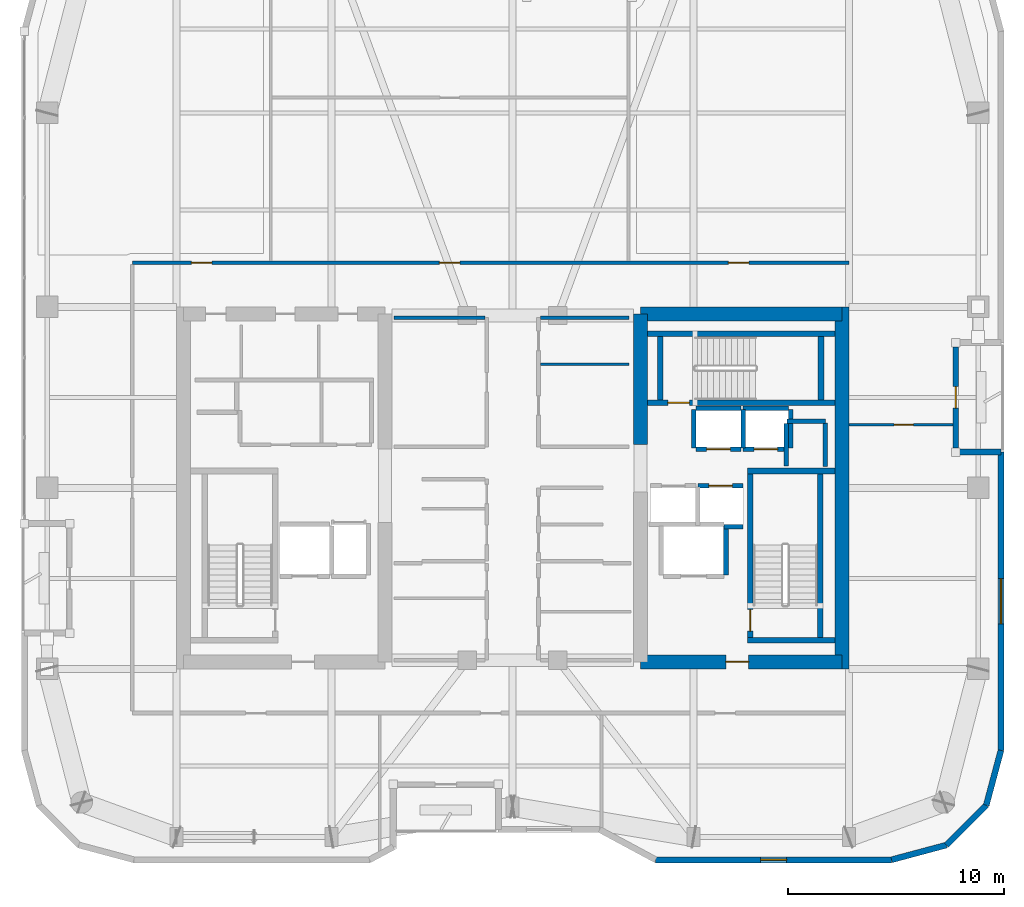
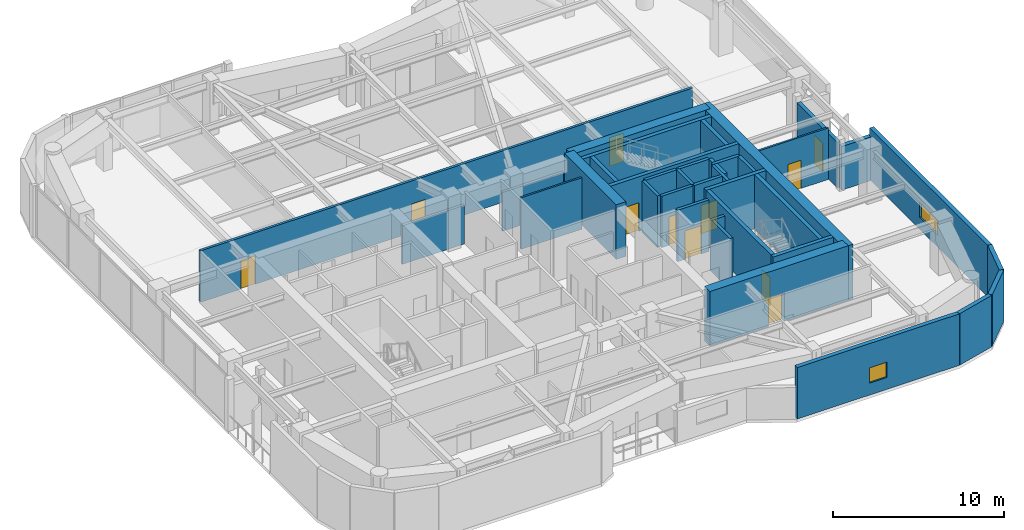
# One storey, part 17 of 21: 37 walls, 11 doors, 2 windows, 13 openings.
"""IFC4 building model written with IfcOpenShell, lengths in metres."""

from ifc_helpers import new_model, si_unit, direction, frame, frame_2d, origin, place, context, subcontext, project, spatial, rectangle, extrude, material, layer, layer_set, type_object, element, fill, save


model = new_model("IFC4")

# Units and contexts
model_context = context("Model", 3, precision=1e-05, world=origin(), true_north=direction((0.0, 1.0)))
body_context = subcontext(model_context, "Body", "Model", "MODEL_VIEW")
ifc_project = project(units=[si_unit("LENGTHUNIT", "METRE"), si_unit("AREAUNIT", "SQUARE_METRE"), si_unit("VOLUMEUNIT", "CUBIC_METRE"), si_unit("PLANEANGLEUNIT", "RADIAN"), si_unit("MASSUNIT", "GRAM", prefix="KILO")], contexts=[model_context])

# Site, building, storey
site_placement = place(None, origin())
site = spatial("IfcSite", under=ifc_project, at=site_placement, CompositionType="ELEMENT")
building_placement = place(site_placement, origin())
building = spatial("IfcBuilding", under=site, at=building_placement, Name="Kiyonajd Concourse Tower", CompositionType="ELEMENT")
storey_placement = place(building_placement, frame((0.0, 0.0, 234.89990234375)))
storey = spatial("IfcBuildingStorey", under=building, at=storey_placement, Name="L59", CompositionType="ELEMENT", Elevation=234.89990234375)

# Walls
ifc_material_1 = material(Name="Concrete C60/75", Category="concrete")
ifc_layer_1 = layer(ifc_material_1, 0.64990234375)
ifc_layer_set_1 = layer_set([ifc_layer_1], Name="Concrete C60/75")
wall_type_1 = type_object("IfcWallType", Name="WL-CORE-650", PredefinedType="SHEAR", material=ifc_layer_set_1)
wall_1_placement = place(storey_placement, frame((53.925048828125, 38.0, 0.0), z_axis=(0.0, 0.0, 1.0), x_axis=(0.0, 1.0, 0.0)))
element("IfcWall", 1, at=wall_1_placement, inside=storey, type_object=wall_type_1, Name="L59 East Core Inner North Shear Wall", PredefinedType="SHEAR", context=body_context, shape_type="SweptSolid", body=[
    extrude(rectangle(XDim=6.074951171875, YDim=0.64990234375, at=frame_2d((3.03759765625, 0.0))), origin(), (0.0, 0.0, 1.0), 3.900146484375),
])
wall_2_placement = place(storey_placement, frame((63.27490234375, 27.60009765625, 0.0), z_axis=(0.0, 0.0, 1.0), x_axis=(0.0, 1.0, 0.0)))
element("IfcWall", 2, at=wall_2_placement, inside=storey, type_object=wall_type_1, Name="L59 East Core Outer Shear Wall", PredefinedType="SHEAR", context=body_context, shape_type="SweptSolid", body=[
    extrude(rectangle(XDim=16.7998046875, YDim=0.64990234375, at=frame_2d((8.39990234375, 0.0))), origin(), (0.0, 0.0, 1.0), 3.900146484375),
])

# Wall, opening, door
wall_3_placement = place(storey_placement, frame((53.925048828125, 27.925048828125, 0.0), z_axis=(0.0, 0.0, 1.0), x_axis=(1.0, 0.0, 0.0)))
wall_3 = element("IfcWall", 3, at=wall_3_placement, inside=storey, type_object=wall_type_1, Name="L59 East Core South Shear Wall", PredefinedType="SHEAR", context=body_context, shape_type="SweptSolid", body=[
    extrude(rectangle(XDim=9.349853515625, YDim=0.64990234375, at=frame_2d((4.6748046875, 0.0))), origin(), (0.0, 0.0, 1.0), 3.900146484375),
])
opening_1_placement = place(wall_3_placement, frame((3.97509765625, 0.0, 0.0)))
opening_1 = element("IfcOpeningElement", 4, at=opening_1_placement, cuts=wall_3, Name="Opening DF5", PredefinedType="OPENING", context=body_context, shape_type="SweptSolid", body=[
    extrude(rectangle(XDim=1.050048828125, YDim=2.0400390625, at=frame_2d((0.52490234375, 1.02001953125))), frame((0.0, 0.3349609375, 0.0), z_axis=(0.0, -1.0, 0.0), x_axis=(1.0, 0.0, 0.0)), (0.0, 0.0, 1.0), 0.669921875),
])
ifc_material_2 = material(Name="Brushed Stainless Steel Cab Assembly", Category="steel")
door_type_1 = type_object("IfcDoorType", Name="DR-FD45-1050", OperationType="NOTDEFINED", PredefinedType="DOOR", material=ifc_material_2)
door_1_placement = place(opening_1_placement, origin())
door_1 = element("IfcDoor", 5, at=door_1_placement, inside=storey, type_object=door_type_1, Name="L59 Firefighting Lift Lobby E Smoke Door", OperationType="SINGLE_SWING_RIGHT", OverallHeight=2.0400390625, OverallWidth=1.050048828125, PredefinedType="DOOR", context=body_context, shape_type="SweptSolid", body=[
    extrude(rectangle(XDim=1.050048828125, YDim=2.0400390625, at=frame_2d((0.52490234375, 1.02001953125))), frame((0.0, 0.02490234375, 0.0), z_axis=(0.0, -1.0, 0.0), x_axis=(1.0, 0.0, 0.0)), (0.0, 0.0, 1.0), 0.050048828125),
])
fill(opening_1, door_1)

# Walls
wall_4_placement = place(storey_placement, frame((53.925048828125, 44.074951171875, 0.0), z_axis=(0.0, 0.0, 1.0), x_axis=(1.0, 0.0, 0.0)))
element("IfcWall", 6, at=wall_4_placement, inside=storey, type_object=wall_type_1, Name="L59 East Core North Shear Wall", PredefinedType="SHEAR", context=body_context, shape_type="SweptSolid", body=[
    extrude(rectangle(XDim=9.349853515625, YDim=0.64990234375, at=frame_2d((4.6748046875, 0.0))), origin(), (0.0, 0.0, 1.0), 3.900146484375),
])
ifc_material_3 = material(Name="Precast concrete C50/60", Category="concrete")
ifc_layer_2 = layer(ifc_material_3, 0.280029296875)
ifc_layer_set_2 = layer_set([ifc_layer_2], Name="Precast concrete C50/60")
wall_type_2 = type_object("IfcWallType", Name="WL-EXT-280", PredefinedType="SOLIDWALL", material=ifc_layer_set_2)
wall_5_placement = place(storey_placement, frame((68.56005859375, 37.659912109375, 0.0), z_axis=(0.0, 0.0, 1.0), x_axis=(1.0, 0.0, 0.0)))
element("IfcWall", 7, at=wall_5_placement, inside=storey, type_object=wall_type_2, Name="L59 Exterior Concrete Frame Wall 23", PredefinedType="SOLIDWALL", context=body_context, shape_type="SweptSolid", body=[
    extrude(rectangle(XDim=2.099853515625, YDim=0.280029296875, at=frame_2d((1.0498046875, 0.0))), origin(), (0.0, 0.0, 1.0), 3.1162109375),
])

# Wall, opening, window
wall_6_placement = place(storey_placement, frame((70.659912109375, 37.659912109375, 0.0), z_axis=(0.0, 0.0, 1.0), x_axis=(0.0, -1.0, 0.0)))
wall_6 = element("IfcWall", 8, at=wall_6_placement, inside=storey, type_object=wall_type_2, Name="L59 Exterior Concrete Frame Wall 24", PredefinedType="SOLIDWALL", context=body_context, shape_type="SweptSolid", body=[
    extrude(rectangle(XDim=13.841552734375, YDim=0.280029296875, at=frame_2d((6.9208984375, 0.0))), origin(), (0.0, 0.0, 1.0), 3.68017578125),
])
opening_2_placement = place(wall_6_placement, frame((5.87109375, 0.0, 0.85009765625)))
opening_2 = element("IfcOpeningElement", 9, at=opening_2_placement, cuts=wall_6, Name="Opening WN5", PredefinedType="OPENING", context=body_context, shape_type="SweptSolid", body=[
    extrude(rectangle(XDim=2.10009765625, YDim=1.050048828125, at=frame_2d((1.050048828125, 0.52490234375))), frame((0.0, 0.14990234375, 0.0), z_axis=(0.0, -1.0, 0.0), x_axis=(1.0, 0.0, 0.0)), (0.0, 0.0, 1.0), 0.300048828125),
])
ifc_material_4 = material(Name="Double Low-E Insulated Glass", Category="glass")
window_type_1 = type_object("IfcWindowType", Name="WN-VIS-2100x1050", PartitioningType="SINGLE_PANEL", PredefinedType="WINDOW", material=ifc_material_4)
window_1_placement = place(opening_2_placement, origin())
window_1 = element("IfcWindow", 10, at=window_1_placement, inside=storey, type_object=window_type_1, Name="L59 Modular Facade Vision Window 24", OverallHeight=1.050048828125, OverallWidth=2.10009765625, PartitioningType="SINGLE_PANEL", PredefinedType="WINDOW", context=body_context, shape_type="SweptSolid", body=[
    extrude(rectangle(XDim=2.10009765625, YDim=1.050048828125, at=frame_2d((1.050048828125, 0.52490234375))), frame((0.0, 0.030029296875, 0.0), z_axis=(0.0, -1.0, 0.0), x_axis=(1.0, 0.0, 0.0)), (0.0, 0.0, 1.0), 0.06005859375),
])
fill(opening_2, window_1)

# Walls
wall_7_placement = place(storey_placement, frame((70.659912109375, 23.818359375, 0.0), z_axis=(0.0, 0.0, 1.0), x_axis=(-0.2588904131, -0.965906700466, 0.0)))
element("IfcWall", 11, at=wall_7_placement, inside=storey, type_object=wall_type_2, Name="L59 Exterior Concrete Frame Wall 25", PredefinedType="SOLIDWALL", context=body_context, shape_type="SweptSolid", body=[
    extrude(rectangle(XDim=2.6357421875, YDim=0.280029296875, at=frame_2d((1.31787109375, 0.0))), origin(), (0.0, 0.0, 1.0), 3.68017578125),
])
wall_8_placement = place(storey_placement, frame((69.9775390625, 21.2724609375, 0.0), z_axis=(0.0, 0.0, 1.0), x_axis=(-0.707153437963, -0.707060121331, 0.0)))
element("IfcWall", 12, at=wall_8_placement, inside=storey, type_object=wall_type_2, Name="L59 Exterior Concrete Frame Wall 26", PredefinedType="SOLIDWALL", context=body_context, shape_type="SweptSolid", body=[
    extrude(rectangle(XDim=2.6162109375, YDim=0.280029296875, at=frame_2d((1.30810546875, 0.0))), origin(), (0.0, 0.0, 1.0), 3.68017578125),
])
wall_9_placement = place(storey_placement, frame((68.12744140625, 19.422607421875, 0.0), z_axis=(0.0, 0.0, 1.0), x_axis=(-0.965883534663, -0.258976828051, 0.0)))
element("IfcWall", 13, at=wall_9_placement, inside=storey, type_object=wall_type_2, Name="L59 Exterior Concrete Frame Wall 27", PredefinedType="SOLIDWALL", context=body_context, shape_type="SweptSolid", body=[
    extrude(rectangle(XDim=2.6357421875, YDim=0.280029296875, at=frame_2d((1.31787109375, 0.0))), origin(), (0.0, 0.0, 1.0), 3.68017578125),
])

# Wall, opening, window
wall_10_placement = place(storey_placement, frame((65.58154296875, 18.739990234375, 0.0), z_axis=(0.0, 0.0, 1.0), x_axis=(-1.0, 0.0, 0.0)))
wall_10 = element("IfcWall", 14, at=wall_10_placement, inside=storey, type_object=wall_type_2, Name="L59 Exterior Concrete Frame Wall 28", PredefinedType="SOLIDWALL", context=body_context, shape_type="SweptSolid", body=[
    extrude(rectangle(XDim=10.9462890625, YDim=0.280029296875, at=frame_2d((5.47314453125, 0.0))), origin(), (0.0, 0.0, 1.0), 3.68017578125),
])
opening_3_placement = place(wall_10_placement, frame((4.873046875, 0.0, 0.85009765625)))
opening_3 = element("IfcOpeningElement", 15, at=opening_3_placement, cuts=wall_10, Name="Opening WN3", PredefinedType="OPENING", context=body_context, shape_type="SweptSolid", body=[
    extrude(rectangle(XDim=1.199951171875, YDim=1.10009765625, at=frame_2d((0.60009765625, 0.550048828125))), frame((0.0, 0.14990234375, 0.0), z_axis=(0.0, -1.0, 0.0), x_axis=(1.0, 0.0, 0.0)), (0.0, 0.0, 1.0), 0.300048828125),
])
window_type_2 = type_object("IfcWindowType", Name="WN-VIS-1200x1100", PartitioningType="SINGLE_PANEL", PredefinedType="WINDOW", material=ifc_material_4)
window_2_placement = place(opening_3_placement, origin())
window_2 = element("IfcWindow", 16, at=window_2_placement, inside=storey, type_object=window_type_2, Name="L59 Modular Facade Vision Window 28", OverallHeight=1.10009765625, OverallWidth=1.199951171875, PartitioningType="SINGLE_PANEL", PredefinedType="WINDOW", context=body_context, shape_type="SweptSolid", body=[
    extrude(rectangle(XDim=1.199951171875, YDim=1.10009765625, at=frame_2d((0.60009765625, 0.550048828125))), frame((0.0, 0.030029296875, 0.0), z_axis=(0.0, -1.0, 0.0), x_axis=(1.0, 0.0, 0.0)), (0.0, 0.0, 1.0), 0.06005859375),
])
fill(opening_3, window_2)

# Wall, opening, door
ifc_layer_3 = layer(ifc_material_3, 0.239990234375)
ifc_layer_set_3 = layer_set([ifc_layer_3], Name="Precast concrete C50/60")
wall_type_3 = type_object("IfcWallType", Name="WL-LOG-240", PredefinedType="SOLIDWALL", material=ifc_layer_set_3)
wall_11_placement = place(storey_placement, frame((68.56005859375, 42.544921875, 0.0), z_axis=(0.0, 0.0, 1.0), x_axis=(0.0, -1.0, 0.0)))
wall_11 = element("IfcWall", 17, at=wall_11_placement, inside=storey, type_object=wall_type_3, Name="L59 Recessed Loggia Thermal Wall LOG-E", PredefinedType="SOLIDWALL", context=body_context, shape_type="SweptSolid", body=[
    extrude(rectangle(XDim=4.68994140625, YDim=0.239990234375, at=frame_2d((2.344970703125, 0.0))), origin(), (0.0, 0.0, 1.0), 3.248046875),
])
opening_4_placement = place(wall_11_placement, frame((1.844970703125, 0.0, 0.0)))
opening_4 = element("IfcOpeningElement", 18, at=opening_4_placement, cuts=wall_11, Name="Opening DL1", PredefinedType="OPENING", context=body_context, shape_type="SweptSolid", body=[
    extrude(rectangle(XDim=1.0, YDim=2.02001953125, at=frame_2d((0.5, 1.010009765625))), frame((0.0, 0.1298828125, 0.0), z_axis=(0.0, -1.0, 0.0), x_axis=(1.0, 0.0, 0.0)), (0.0, 0.0, 1.0), 0.260009765625),
])
ifc_material_5 = material(Name="Thermally Broken Anodised Aluminium", Category="aluminium")
door_type_2 = type_object("IfcDoorType", Name="DR-LOG-1000", OperationType="NOTDEFINED", PredefinedType="DOOR", material=ifc_material_5)
door_2_placement = place(opening_4_placement, origin())
door_2 = element("IfcDoor", 19, at=door_2_placement, inside=storey, type_object=door_type_2, Name="L59 Engawa Loggia Access Door LOG-E", OperationType="SINGLE_SWING_LEFT", OverallHeight=2.02001953125, OverallWidth=1.0, PredefinedType="DOOR", context=body_context, shape_type="SweptSolid", body=[
    extrude(rectangle(XDim=1.0, YDim=2.02001953125, at=frame_2d((0.5, 1.010009765625))), frame((0.0, 0.02490234375, 0.0), z_axis=(0.0, -1.0, 0.0), x_axis=(1.0, 0.0, 0.0)), (0.0, 0.0, 1.0), 0.050048828125),
])
fill(opening_4, door_2)

# Wall
ifc_material_6 = material(Name="Gypsum Board on Cold-Formed Steel Stud", Category="steel")
ifc_layer_4 = layer(ifc_material_6, 0.125)
ifc_layer_set_4 = layer_set([ifc_layer_4], Name="Gypsum Board on Cold-Formed Steel Stud")
wall_type_4 = type_object("IfcWallType", Name="WL-PART-125", PredefinedType="PARTITIONING", material=ifc_layer_set_4)
wall_12_placement = place(storey_placement, frame((49.287109375, 41.739990234375, 0.0), z_axis=(0.0, 0.0, 1.0), x_axis=(1.0, 0.0, 0.0)))
element("IfcWall", 20, at=wall_12_placement, inside=storey, type_object=wall_type_4, Name="L59 Interior Partition Wall", PredefinedType="PARTITIONING", context=body_context, shape_type="SweptSolid", body=[
    extrude(rectangle(XDim=4.11279296875, YDim=0.125, at=frame_2d((2.056396484375, 0.0))), origin(), (0.0, 0.0, 1.0), 3.68017578125),
])

# Wall, opening, door
wall_13_placement = place(storey_placement, frame((63.60009765625, 38.929931640625, 0.0), z_axis=(0.0, 0.0, 1.0), x_axis=(1.0, 0.0, 0.0)))
wall_13 = element("IfcWall", 21, at=wall_13_placement, inside=storey, type_object=wall_type_4, Name="L59 Interior Partition Wall", PredefinedType="PARTITIONING", context=body_context, shape_type="SweptSolid", body=[
    extrude(rectangle(XDim=4.844970703125, YDim=0.125, at=frame_2d((2.42236328125, 0.0))), origin(), (0.0, 0.0, 1.0), 3.68017578125),
])
opening_5_placement = place(wall_13_placement, frame((2.10009765625, 0.0, 0.0)))
opening_5 = element("IfcOpeningElement", 22, at=opening_5_placement, cuts=wall_13, Name="Opening DI2", PredefinedType="OPENING", context=body_context, shape_type="SweptSolid", body=[
    extrude(rectangle(XDim=0.89990234375, YDim=2.02001953125, at=frame_2d((0.449951171875, 1.010009765625))), frame((0.0, 0.072509765625, 0.0), z_axis=(0.0, -1.0, 0.0), x_axis=(1.0, 0.0, 0.0)), (0.0, 0.0, 1.0), 0.14501953125),
])
ifc_material_7 = material(Name="Natural Oak Acoustic Timber Veneer", Category="wood")
door_type_3 = type_object("IfcDoorType", Name="DR-INT-900", OperationType="NOTDEFINED", PredefinedType="DOOR", material=ifc_material_7)
door_3_placement = place(opening_5_placement, origin())
door_3 = element("IfcDoor", 23, at=door_3_placement, inside=storey, type_object=door_type_3, Name="L59 Interior Door", OperationType="SINGLE_SWING_LEFT", OverallHeight=2.02001953125, OverallWidth=0.89990234375, PredefinedType="DOOR", context=body_context, shape_type="SweptSolid", body=[
    extrude(rectangle(XDim=0.89990234375, YDim=2.02001953125, at=frame_2d((0.449951171875, 1.010009765625))), frame((0.0, 0.02490234375, 0.0), z_axis=(0.0, -1.0, 0.0), x_axis=(1.0, 0.0, 0.0)), (0.0, 0.0, 1.0), 0.050048828125),
])
fill(opening_5, door_3)

# Walls
ifc_layer_5 = layer(ifc_material_6, 0.2099609375)
ifc_layer_set_5 = layer_set([ifc_layer_5], Name="Gypsum Board on Cold-Formed Steel Stud")
wall_type_5 = type_object("IfcWallType", Name="WL-SHAFT-210", PredefinedType="PARTITIONING", material=ifc_layer_set_5)
wall_14_placement = place(storey_placement, frame((60.719970703125, 39.10009765625, 0.0), z_axis=(0.0, 0.0, 1.0), x_axis=(1.0, 0.0, 0.0)))
element("IfcWall", 24, at=wall_14_placement, inside=storey, type_object=wall_type_5, Name="L59 Shaft Enclosure Wall", PredefinedType="PARTITIONING", context=body_context, shape_type="SweptSolid", body=[
    extrude(rectangle(XDim=1.800048828125, YDim=0.2099609375, at=frame_2d((0.89990234375, 0.0))), origin(), (0.0, 0.0, 1.0), 3.68017578125),
])
wall_15_placement = place(storey_placement, frame((60.699951171875, 37.02001953125, 0.0), z_axis=(0.0, 0.0, 1.0), x_axis=(0.0, 1.0, 0.0)))
element("IfcWall", 25, at=wall_15_placement, inside=storey, type_object=wall_type_5, Name="L59 Shaft Enclosure Wall", PredefinedType="PARTITIONING", context=body_context, shape_type="SweptSolid", body=[
    extrude(rectangle(XDim=1.9599609375, YDim=0.2099609375, at=frame_2d((0.97998046875, 0.0))), origin(), (0.0, 0.0, 1.0), 3.68017578125),
])
wall_16_placement = place(storey_placement, frame((62.5, 36.97998046875, 0.0), z_axis=(0.0, 0.0, 1.0), x_axis=(0.0, 1.0, 0.0)))
element("IfcWall", 26, at=wall_16_placement, inside=storey, type_object=wall_type_5, Name="L59 Shaft Enclosure Wall", PredefinedType="PARTITIONING", context=body_context, shape_type="SweptSolid", body=[
    extrude(rectangle(XDim=2.0400390625, YDim=0.2099609375, at=frame_2d((1.02001953125, 0.0))), origin(), (0.0, 0.0, 1.0), 3.68017578125),
])
wall_17_placement = place(storey_placement, frame((57.89990234375, 31.9599609375, 0.0), z_axis=(0.0, 0.0, 1.0), x_axis=(0.0, 1.0, 0.0)))
element("IfcWall", 27, at=wall_17_placement, inside=storey, type_object=wall_type_5, Name="L59 Shaft Enclosure Wall", PredefinedType="PARTITIONING", context=body_context, shape_type="SweptSolid", body=[
    extrude(rectangle(XDim=2.280029296875, YDim=0.2099609375, at=frame_2d((1.14013671875, 0.0))), origin(), (0.0, 0.0, 1.0), 3.68017578125),
])

# Wall, opening, door
wall_18_placement = place(storey_placement, frame((56.60009765625, 36.10009765625, 0.0), z_axis=(0.0, 0.0, 1.0), x_axis=(1.0, 0.0, 0.0)))
wall_18 = element("IfcWall", 28, at=wall_18_placement, inside=storey, type_object=wall_type_5, Name="L59 Shaft Enclosure Wall", PredefinedType="PARTITIONING", context=body_context, shape_type="SweptSolid", body=[
    extrude(rectangle(XDim=2.099853515625, YDim=0.2099609375, at=frame_2d((1.0498046875, 0.0))), origin(), (0.0, 0.0, 1.0), 3.68017578125),
])
opening_6_placement = place(wall_18_placement, frame((0.5, 0.0, 0.0)))
opening_6 = element("IfcOpeningElement", 29, at=opening_6_placement, cuts=wall_18, Name="Opening LD1", PredefinedType="OPENING", context=body_context, shape_type="SweptSolid", body=[
    extrude(rectangle(XDim=1.10009765625, YDim=2.0400390625, at=frame_2d((0.550048828125, 1.02001953125))), frame((0.0, 0.114990234375, 0.0), z_axis=(0.0, -1.0, 0.0), x_axis=(1.0, 0.0, 0.0)), (0.0, 0.0, 1.0), 0.22998046875),
])
door_type_4 = type_object("IfcDoorType", Name="DR-LD-1100", OperationType="DOUBLE_DOOR_SLIDING", PredefinedType="DOOR", material=ifc_material_2)
door_4_placement = place(opening_6_placement, origin())
door_4 = element("IfcDoor", 30, at=door_4_placement, inside=storey, type_object=door_type_4, Name="L59 Lift PL-H2 Sliding Landing Door", OperationType="DOUBLE_DOOR_SLIDING", OverallHeight=2.0400390625, OverallWidth=1.10009765625, PredefinedType="DOOR", context=body_context, shape_type="SweptSolid", body=[
    extrude(rectangle(XDim=1.10009765625, YDim=2.0400390625, at=frame_2d((0.550048828125, 1.02001953125))), frame((0.0, 0.02490234375, 0.0), z_axis=(0.0, -1.0, 0.0), x_axis=(1.0, 0.0, 0.0)), (0.0, 0.0, 1.0), 0.050048828125),
])
fill(opening_6, door_4)

# Wall
wall_19_placement = place(storey_placement, frame((57.800048828125, 34.199951171875, 0.0), z_axis=(0.0, 0.0, 1.0), x_axis=(1.0, 0.0, 0.0)))
element("IfcWall", 31, at=wall_19_placement, inside=storey, type_object=wall_type_5, Name="L59 Shaft Enclosure Wall", PredefinedType="PARTITIONING", context=body_context, shape_type="SweptSolid", body=[
    extrude(rectangle(XDim=0.89990234375, YDim=0.2099609375, at=frame_2d((0.449951171875, 0.0))), origin(), (0.0, 0.0, 1.0), 3.68017578125),
])

# Wall, opening, door
wall_20_placement = place(storey_placement, frame((56.5, 37.800048828125, 0.0), z_axis=(0.0, 0.0, 1.0), x_axis=(1.0, 0.0, 0.0)))
wall_20 = element("IfcWall", 32, at=wall_20_placement, inside=storey, type_object=wall_type_5, Name="L59 Shaft Enclosure Wall", PredefinedType="PARTITIONING", context=body_context, shape_type="SweptSolid", body=[
    extrude(rectangle(XDim=2.10009765625, YDim=0.2099609375, at=frame_2d((1.050048828125, 0.0))), origin(), (0.0, 0.0, 1.0), 3.68017578125),
])
opening_7_placement = place(wall_20_placement, frame((0.5, 0.0, 0.0)))
opening_7 = element("IfcOpeningElement", 33, at=opening_7_placement, cuts=wall_20, Name="Opening LD1", PredefinedType="OPENING", context=body_context, shape_type="SweptSolid", body=[
    extrude(rectangle(XDim=1.10009765625, YDim=2.0400390625, at=frame_2d((0.550048828125, 1.02001953125))), frame((0.0, 0.114990234375, 0.0), z_axis=(0.0, -1.0, 0.0), x_axis=(1.0, 0.0, 0.0)), (0.0, 0.0, 1.0), 0.22998046875),
])
door_5_placement = place(opening_7_placement, origin())
door_5 = element("IfcDoor", 34, at=door_5_placement, inside=storey, type_object=door_type_4, Name="L59 Lift PL-H3 Sliding Landing Door", OperationType="DOUBLE_DOOR_SLIDING", OverallHeight=2.0400390625, OverallWidth=1.10009765625, PredefinedType="DOOR", context=body_context, shape_type="SweptSolid", body=[
    extrude(rectangle(XDim=1.10009765625, YDim=2.0400390625, at=frame_2d((0.550048828125, 1.02001953125))), frame((0.0, 0.02490234375, 0.0), z_axis=(0.0, -1.0, 0.0), x_axis=(1.0, 0.0, 0.0)), (0.0, 0.0, 1.0), 0.050048828125),
])
fill(opening_7, door_5)

# Walls
wall_21_placement = place(storey_placement, frame((56.5, 39.699951171875, 0.0), z_axis=(0.0, 0.0, 1.0), x_axis=(1.0, 0.0, 0.0)))
element("IfcWall", 35, at=wall_21_placement, inside=storey, type_object=wall_type_5, Name="L59 Shaft Enclosure Wall", PredefinedType="PARTITIONING", context=body_context, shape_type="SweptSolid", body=[
    extrude(rectangle(XDim=2.10009765625, YDim=0.2099609375, at=frame_2d((1.050048828125, 0.0))), origin(), (0.0, 0.0, 1.0), 3.68017578125),
])
for number, where, z_axis, x_axis, name in (
    (36, (56.39990234375, 37.860107421875, 0.0), (0.0, 0.0, 1.0), (0.0, 1.0, 0.0), "L59 Shaft Enclosure Wall"),
    (37, (58.699951171875, 37.860107421875, 0.0), (0.0, 0.0, 1.0), (0.0, 1.0, 0.0), "L59 Shaft Enclosure Wall"),
):
    element("IfcWall", number, at=place(storey_placement, frame(where, z_axis=z_axis, x_axis=x_axis)), inside=storey, type_object=wall_type_5, Name=name, PredefinedType="PARTITIONING", context=body_context, shape_type="SweptSolid", body=[
        extrude(rectangle(XDim=1.77978515625, YDim=0.2099609375, at=frame_2d((0.889892578125, 0.0))), origin(), (0.0, 0.0, 1.0), 3.68017578125),
    ])

# Wall, opening, door
wall_22_placement = place(storey_placement, frame((58.699951171875, 37.800048828125, 0.0), z_axis=(0.0, 0.0, 1.0), x_axis=(1.0, 0.0, 0.0)))
wall_22 = element("IfcWall", 38, at=wall_22_placement, inside=storey, type_object=wall_type_5, Name="L59 Shaft Enclosure Wall", PredefinedType="PARTITIONING", context=body_context, shape_type="SweptSolid", body=[
    extrude(rectangle(XDim=2.10009765625, YDim=0.2099609375, at=frame_2d((1.050048828125, 0.0))), origin(), (0.0, 0.0, 1.0), 3.68017578125),
])
opening_8_placement = place(wall_22_placement, frame((0.5, 0.0, 0.0)))
opening_8 = element("IfcOpeningElement", 39, at=opening_8_placement, cuts=wall_22, Name="Opening LD1", PredefinedType="OPENING", context=body_context, shape_type="SweptSolid", body=[
    extrude(rectangle(XDim=1.10009765625, YDim=2.0400390625, at=frame_2d((0.550048828125, 1.02001953125))), frame((0.0, 0.114990234375, 0.0), z_axis=(0.0, -1.0, 0.0), x_axis=(1.0, 0.0, 0.0)), (0.0, 0.0, 1.0), 0.22998046875),
])
door_6_placement = place(opening_8_placement, origin())
door_6 = element("IfcDoor", 40, at=door_6_placement, inside=storey, type_object=door_type_4, Name="L59 Lift PL-H4 Sliding Landing Door", OperationType="DOUBLE_DOOR_SLIDING", OverallHeight=2.0400390625, OverallWidth=1.10009765625, PredefinedType="DOOR", context=body_context, shape_type="SweptSolid", body=[
    extrude(rectangle(XDim=1.10009765625, YDim=2.0400390625, at=frame_2d((0.550048828125, 1.02001953125))), frame((0.0, 0.02490234375, 0.0), z_axis=(0.0, -1.0, 0.0), x_axis=(1.0, 0.0, 0.0)), (0.0, 0.0, 1.0), 0.050048828125),
])
fill(opening_8, door_6)

# Walls
wall_23_placement = place(storey_placement, frame((58.699951171875, 39.699951171875, 0.0), z_axis=(0.0, 0.0, 1.0), x_axis=(1.0, 0.0, 0.0)))
element("IfcWall", 41, at=wall_23_placement, inside=storey, type_object=wall_type_5, Name="L59 Shaft Enclosure Wall", PredefinedType="PARTITIONING", context=body_context, shape_type="SweptSolid", body=[
    extrude(rectangle(XDim=2.10009765625, YDim=0.2099609375, at=frame_2d((1.050048828125, 0.0))), origin(), (0.0, 0.0, 1.0), 3.68017578125),
])
wall_24_placement = place(storey_placement, frame((60.89990234375, 37.860107421875, 0.0), z_axis=(0.0, 0.0, 1.0), x_axis=(0.0, 1.0, 0.0)))
element("IfcWall", 42, at=wall_24_placement, inside=storey, type_object=wall_type_5, Name="L59 Shaft Enclosure Wall", PredefinedType="PARTITIONING", context=body_context, shape_type="SweptSolid", body=[
    extrude(rectangle(XDim=1.77978515625, YDim=0.2099609375, at=frame_2d((0.889892578125, 0.0))), origin(), (0.0, 0.0, 1.0), 3.68017578125),
])
ifc_layer_6 = layer(ifc_material_6, 0.169921875)
ifc_layer_set_6 = layer_set([ifc_layer_6], Name="Gypsum Board on Cold-Formed Steel Stud")
wall_type_6 = type_object("IfcWallType", Name="WL-SMK-170", PredefinedType="PARTITIONING", material=ifc_layer_set_6)
wall_25_placement = place(storey_placement, frame((42.5, 43.89990234375, 0.0), z_axis=(0.0, 0.0, 1.0), x_axis=(1.0, 0.0, 0.0)))
element("IfcWall", 43, at=wall_25_placement, inside=storey, type_object=wall_type_6, Name="L59 Interior Partition Wall", PredefinedType="PARTITIONING", context=body_context, shape_type="SweptSolid", body=[
    extrude(rectangle(XDim=4.212890625, YDim=0.169921875, at=frame_2d((2.1064453125, 0.0))), origin(), (0.0, 0.0, 1.0), 2.76513671875),
])
wall_26_placement = place(storey_placement, frame((49.287109375, 43.89990234375, 0.0), z_axis=(0.0, 0.0, 1.0), x_axis=(1.0, 0.0, 0.0)))
element("IfcWall", 44, at=wall_26_placement, inside=storey, type_object=wall_type_6, Name="L59 Interior Partition Wall", PredefinedType="PARTITIONING", context=body_context, shape_type="SweptSolid", body=[
    extrude(rectangle(XDim=4.11279296875, YDim=0.169921875, at=frame_2d((2.056396484375, 0.0))), origin(), (0.0, 0.0, 1.0), 2.76513671875),
])

# Wall, openings, doors
wall_27_placement = place(storey_placement, frame((30.35009765625, 46.449951171875, 0.0), z_axis=(0.0, 0.0, 1.0), x_axis=(1.0, 0.0, 0.0)))
wall_27 = element("IfcWall", 45, at=wall_27_placement, inside=storey, type_object=wall_type_6, Name="L59 Interior Partition Wall", PredefinedType="PARTITIONING", context=body_context, shape_type="SweptSolid", body=[
    extrude(rectangle(XDim=33.25, YDim=0.169921875, at=frame_2d((16.625, 0.0))), origin(), (0.0, 0.0, 1.0), 3.68017578125),
])
opening_9_placement = place(wall_27_placement, frame((2.739990234375, 0.0, 0.0)))
opening_9 = element("IfcOpeningElement", 46, at=opening_9_placement, cuts=wall_27, Name="Opening DI1", PredefinedType="OPENING", context=body_context, shape_type="SweptSolid", body=[
    extrude(rectangle(XDim=0.949951171875, YDim=2.0400390625, at=frame_2d((0.47509765625, 1.02001953125))), frame((0.0, 0.094970703125, 0.0), z_axis=(0.0, -1.0, 0.0), x_axis=(1.0, 0.0, 0.0)), (0.0, 0.0, 1.0), 0.18994140625),
])
opening_10_placement = place(wall_27_placement, frame((14.2548828125, 0.0, 0.0)))
opening_10 = element("IfcOpeningElement", 47, at=opening_10_placement, cuts=wall_27, Name="Opening DI1", PredefinedType="OPENING", context=body_context, shape_type="SweptSolid", body=[
    extrude(rectangle(XDim=0.949951171875, YDim=2.0400390625, at=frame_2d((0.47509765625, 1.02001953125))), frame((0.0, 0.094970703125, 0.0), z_axis=(0.0, -1.0, 0.0), x_axis=(1.0, 0.0, 0.0)), (0.0, 0.0, 1.0), 0.18994140625),
])
opening_11_placement = place(wall_27_placement, frame((27.6650390625, 0.0, 0.0)))
opening_11 = element("IfcOpeningElement", 48, at=opening_11_placement, cuts=wall_27, Name="Opening DI1", PredefinedType="OPENING", context=body_context, shape_type="SweptSolid", body=[
    extrude(rectangle(XDim=0.949951171875, YDim=2.0400390625, at=frame_2d((0.47509765625, 1.02001953125))), frame((0.0, 0.094970703125, 0.0), z_axis=(0.0, -1.0, 0.0), x_axis=(1.0, 0.0, 0.0)), (0.0, 0.0, 1.0), 0.18994140625),
])
door_type_5 = type_object("IfcDoorType", Name="DR-INT-950", OperationType="NOTDEFINED", PredefinedType="DOOR", material=ifc_material_7)
door_7_placement = place(opening_9_placement, origin())
door_7 = element("IfcDoor", 49, at=door_7_placement, inside=storey, type_object=door_type_5, Name="L59 Interior Door", OperationType="SINGLE_SWING_RIGHT", OverallHeight=2.0400390625, OverallWidth=0.949951171875, PredefinedType="DOOR", context=body_context, shape_type="SweptSolid", body=[
    extrude(rectangle(XDim=0.949951171875, YDim=2.0400390625, at=frame_2d((0.47509765625, 1.02001953125))), frame((0.0, 0.02490234375, 0.0), z_axis=(0.0, -1.0, 0.0), x_axis=(1.0, 0.0, 0.0)), (0.0, 0.0, 1.0), 0.050048828125),
])
fill(opening_9, door_7)
door_8_placement = place(opening_10_placement, origin())
door_8 = element("IfcDoor", 50, at=door_8_placement, inside=storey, type_object=door_type_5, Name="L59 Interior Door", OperationType="SINGLE_SWING_RIGHT", OverallHeight=2.0400390625, OverallWidth=0.949951171875, PredefinedType="DOOR", context=body_context, shape_type="SweptSolid", body=[
    extrude(rectangle(XDim=0.949951171875, YDim=2.0400390625, at=frame_2d((0.47509765625, 1.02001953125))), frame((0.0, 0.02490234375, 0.0), z_axis=(0.0, -1.0, 0.0), x_axis=(1.0, 0.0, 0.0)), (0.0, 0.0, 1.0), 0.050048828125),
])
fill(opening_10, door_8)
door_9_placement = place(opening_11_placement, origin())
door_9 = element("IfcDoor", 51, at=door_9_placement, inside=storey, type_object=door_type_5, Name="L59 Interior Door", OperationType="SINGLE_SWING_LEFT", OverallHeight=2.0400390625, OverallWidth=0.949951171875, PredefinedType="DOOR", context=body_context, shape_type="SweptSolid", body=[
    extrude(rectangle(XDim=0.949951171875, YDim=2.0400390625, at=frame_2d((0.47509765625, 1.02001953125))), frame((0.0, 0.02490234375, 0.0), z_axis=(0.0, -1.0, 0.0), x_axis=(1.0, 0.0, 0.0)), (0.0, 0.0, 1.0), 0.050048828125),
])
fill(opening_11, door_9)

# Walls
ifc_material_8 = material(Name="Concrete C50/60", Category="concrete")
ifc_layer_7 = layer(ifc_material_8, 0.260009765625)
ifc_layer_set_7 = layer_set([ifc_layer_7], Name="Concrete C50/60")
wall_type_7 = type_object("IfcWallType", Name="WL-STAIR-260", PredefinedType="SHEAR", material=ifc_layer_set_7)
for number, where, z_axis, x_axis, name in (
    (52, (58.889892578125, 28.919921875, 0.0), (0.0, 0.0, 1.0), (1.0, 0.0, 0.0), "L59 Stair ST2 Structural South Wall"),
    (53, (58.889892578125, 36.780029296875, 0.0), (0.0, 0.0, 1.0), (1.0, 0.0, 0.0), "L59 Stair ST2 Structural North Wall"),
):
    element("IfcWall", number, at=place(storey_placement, frame(where, z_axis=z_axis, x_axis=x_axis)), inside=storey, type_object=wall_type_7, Name=name, PredefinedType="SHEAR", context=body_context, shape_type="SweptSolid", body=[
        extrude(rectangle(XDim=4.06005859375, YDim=0.260009765625, at=frame_2d((2.030029296875, 0.0))), origin(), (0.0, 0.0, 1.0), 3.900146484375),
    ])

# Wall, opening, door
wall_28_placement = place(storey_placement, frame((59.02001953125, 29.050048828125, 0.0), z_axis=(0.0, 0.0, 1.0), x_axis=(0.0, 1.0, 0.0)))
wall_28 = element("IfcWall", 54, at=wall_28_placement, inside=storey, type_object=wall_type_7, Name="L59 Stair ST2 Structural West Wall", PredefinedType="SHEAR", context=body_context, shape_type="SweptSolid", body=[
    extrude(rectangle(XDim=7.599853515625, YDim=0.260009765625, at=frame_2d((3.7998046875, 0.0))), origin(), (0.0, 0.0, 1.0), 3.900146484375),
])
opening_12_placement = place(wall_28_placement, frame((0.300048828125, 0.0, 0.0)))
opening_12 = element("IfcOpeningElement", 55, at=opening_12_placement, cuts=wall_28, Name="Opening DF1", PredefinedType="OPENING", context=body_context, shape_type="SweptSolid", body=[
    extrude(rectangle(XDim=1.0, YDim=2.0400390625, at=frame_2d((0.5, 1.02001953125))), frame((0.0, 0.139892578125, 0.0), z_axis=(0.0, -1.0, 0.0), x_axis=(1.0, 0.0, 0.0)), (0.0, 0.0, 1.0), 0.280029296875),
])
door_type_6 = type_object("IfcDoorType", Name="DR-FD90-1000", OperationType="NOTDEFINED", PredefinedType="DOOR", material=ifc_material_2)
door_10_placement = place(opening_12_placement, origin())
door_10 = element("IfcDoor", 56, at=door_10_placement, inside=storey, type_object=door_type_6, Name="L59 Stair ST2 FSAE Door", OperationType="SINGLE_SWING_RIGHT", OverallHeight=2.0400390625, OverallWidth=1.0, PredefinedType="DOOR", context=body_context, shape_type="SweptSolid", body=[
    extrude(rectangle(XDim=1.0, YDim=2.0400390625, at=frame_2d((0.5, 1.02001953125))), frame((0.0, 0.02490234375, 0.0), z_axis=(0.0, -1.0, 0.0), x_axis=(1.0, 0.0, 0.0)), (0.0, 0.0, 1.0), 0.050048828125),
])
fill(opening_12, door_10)

# Wall
wall_29_placement = place(storey_placement, frame((62.280029296875, 29.050048828125, 0.0), z_axis=(0.0, 0.0, 1.0), x_axis=(0.0, 1.0, 0.0)))
element("IfcWall", 57, at=wall_29_placement, inside=storey, type_object=wall_type_7, Name="L59 Stair ST2 Structural East Wall", PredefinedType="SHEAR", context=body_context, shape_type="SweptSolid", body=[
    extrude(rectangle(XDim=7.599853515625, YDim=0.260009765625, at=frame_2d((3.7998046875, 0.0))), origin(), (0.0, 0.0, 1.0), 3.900146484375),
])

# Wall, opening, door
wall_30_placement = place(storey_placement, frame((54.25, 39.949951171875, 0.0), z_axis=(0.0, 0.0, 1.0), x_axis=(1.0, 0.0, 0.0)))
wall_30 = element("IfcWall", 58, at=wall_30_placement, inside=storey, type_object=wall_type_7, Name="L59 Stair ST3 Structural South Wall", PredefinedType="SHEAR", context=body_context, shape_type="SweptSolid", body=[
    extrude(rectangle(XDim=8.699951171875, YDim=0.260009765625, at=frame_2d((4.35009765625, 0.0))), origin(), (0.0, 0.0, 1.0), 3.900146484375),
])
opening_13_placement = place(wall_30_placement, frame((0.949951171875, 0.0, 0.0)))
opening_13 = element("IfcOpeningElement", 59, at=opening_13_placement, cuts=wall_30, Name="Opening DF1", PredefinedType="OPENING", context=body_context, shape_type="SweptSolid", body=[
    extrude(rectangle(XDim=1.0, YDim=2.0400390625, at=frame_2d((0.5, 1.02001953125))), frame((0.0, 0.139892578125, 0.0), z_axis=(0.0, -1.0, 0.0), x_axis=(1.0, 0.0, 0.0)), (0.0, 0.0, 1.0), 0.280029296875),
])
door_11_placement = place(opening_13_placement, origin())
door_11 = element("IfcDoor", 60, at=door_11_placement, inside=storey, type_object=door_type_6, Name="L59 Stair ST3 Enclosure Door", OperationType="SINGLE_SWING_LEFT", OverallHeight=2.0400390625, OverallWidth=1.0, PredefinedType="DOOR", context=body_context, shape_type="SweptSolid", body=[
    extrude(rectangle(XDim=1.0, YDim=2.0400390625, at=frame_2d((0.5, 1.02001953125))), frame((0.0, 0.02490234375, 0.0), z_axis=(0.0, -1.0, 0.0), x_axis=(1.0, 0.0, 0.0)), (0.0, 0.0, 1.0), 0.050048828125),
])
fill(opening_13, door_11)

# Walls
wall_31_placement = place(storey_placement, frame((54.25, 43.14990234375, 0.0), z_axis=(0.0, 0.0, 1.0), x_axis=(1.0, 0.0, 0.0)))
element("IfcWall", 61, at=wall_31_placement, inside=storey, type_object=wall_type_7, Name="L59 Stair ST3 Structural North Wall", PredefinedType="SHEAR", context=body_context, shape_type="SweptSolid", body=[
    extrude(rectangle(XDim=8.699951171875, YDim=0.260009765625, at=frame_2d((4.35009765625, 0.0))), origin(), (0.0, 0.0, 1.0), 3.900146484375),
])
for number, where, z_axis, x_axis, name in (
    (62, (54.85009765625, 40.080078125, 0.0), (0.0, 0.0, 1.0), (0.0, 1.0, 0.0), "L59 Stair ST3 Structural West Wall"),
    (63, (62.31005859375, 40.080078125, 0.0), (0.0, 0.0, 1.0), (0.0, 1.0, 0.0), "L59 Stair ST3 Structural East Wall"),
):
    element("IfcWall", number, at=place(storey_placement, frame(where, z_axis=z_axis, x_axis=x_axis)), inside=storey, type_object=wall_type_7, Name=name, PredefinedType="SHEAR", context=body_context, shape_type="SweptSolid", body=[
        extrude(rectangle(XDim=2.93994140625, YDim=0.260009765625, at=frame_2d((1.469970703125, 0.0))), origin(), (0.0, 0.0, 1.0), 3.900146484375),
    ])

save(model, "model.ifc")
